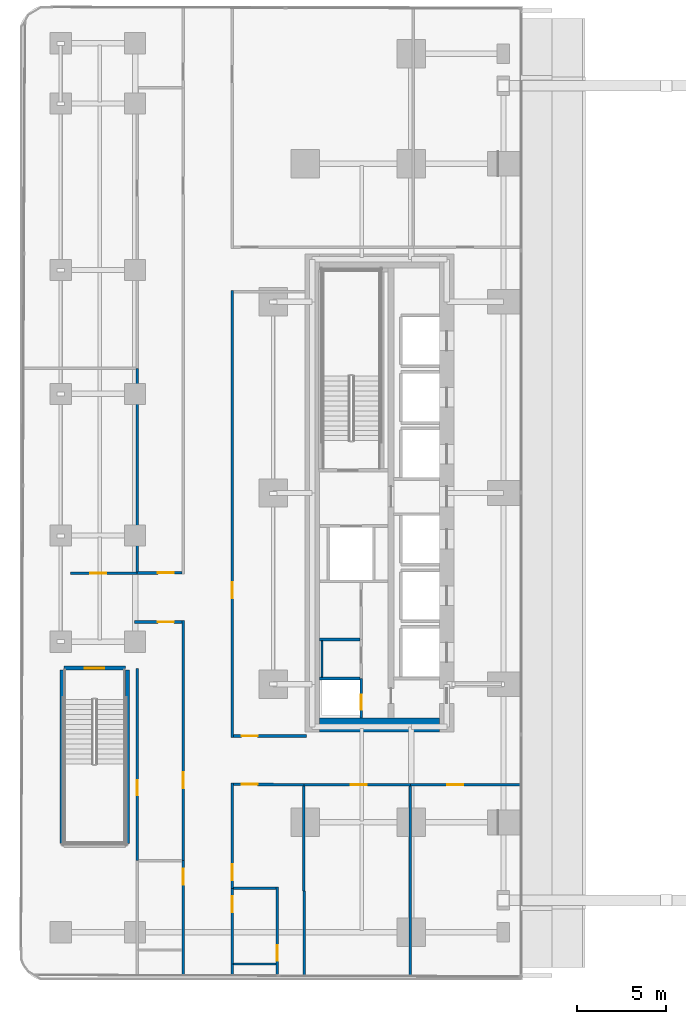
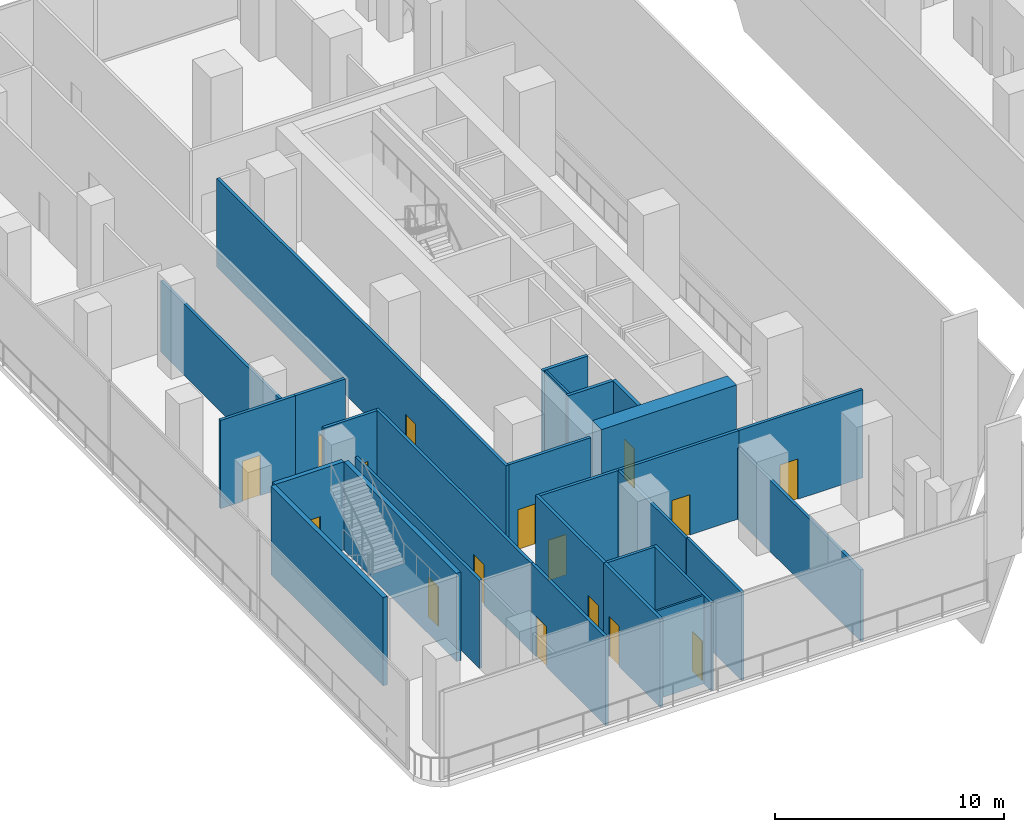
# One storey, part 6 of 31: 28 walls, 16 doors, 16 openings.
"""IFC4 building model written with IfcOpenShell, lengths in metres."""

import ifcopenshell
import ifcopenshell.guid

model = None  # the IFC model being written
_history = None  # IfcOwnerHistory: only IFC2X3 demands one
_inside = {}  # id of a spatial element -> (the spatial element, [elements in it])
_under = {}  # id of a project, library or spatial element -> (it, [spatial elements below it])
_declared = {}  # id of a project -> (the project, [libraries it declares])
_typed = {}  # id of a type object -> (the type object, [elements of that type])
_made_of = {}  # id of a material, layer set ... -> (it, [elements and type objects made of it])


def new_model(schema):
    """Start an empty IFC model of exactly this schema.

    Asked for "IFC4X3", IfcOpenShell would pick the latest addendum, in which some entities
    have other attributes; the version numbers below select the first issue.
    IFC2X3 requires an IfcOwnerHistory on every rooted entity: one is made here for all.
    """
    global model, _history
    if schema == "IFC4X3":
        model = ifcopenshell.file(schema_version=(4, 3, 0, 0))
    else:
        model = ifcopenshell.file(schema=schema)
    _inside.clear()
    _under.clear()
    _declared.clear()
    _typed.clear()
    _made_of.clear()
    _history = None
    if model.schema == "IFC2X3":
        org = make("IfcOrganization", Name="unknown")
        user = make(
            "IfcPersonAndOrganization",
            ThePerson=make("IfcPerson", FamilyName="unknown"),
            TheOrganization=org,
        )
        app = make(
            "IfcApplication",
            ApplicationDeveloper=org,
            Version="unknown",
            ApplicationFullName="unknown",
            ApplicationIdentifier="unknown",
        )
        _history = make(
            "IfcOwnerHistory",
            OwningUser=user,
            OwningApplication=app,
            ChangeAction="ADDED",
            CreationDate=0,
        )
    return model


def make(cls, **values):
    """One entity of the class cls with the attributes given. An attribute that is None is left unset."""
    return model.create_entity(
        cls, **{name: value for name, value in values.items() if value is not None}
    )


def rooted(cls, **values):
    """An entity with a GlobalId (a new one), such as an element, a storey or a relation."""
    return make(cls, GlobalId=ifcopenshell.guid.new(), OwnerHistory=_history, **values)


def si_unit(unit_type, name, prefix=None):
    """IfcSIUnit, for example si_unit("LENGTHUNIT", "METRE", prefix="MILLI")."""
    return make("IfcSIUnit", UnitType=unit_type, Prefix=prefix, Name=name)


def assignment(units):
    """IfcUnitAssignment: the units of a project."""
    return None if units is None else make("IfcUnitAssignment", Units=units)


def point(xyz):
    """IfcCartesianPoint."""
    return None if xyz is None else make("IfcCartesianPoint", Coordinates=xyz)


def direction(xyz):
    """IfcDirection."""
    return None if xyz is None else make("IfcDirection", DirectionRatios=xyz)


def frame(location, z_axis=None, x_axis=None):
    """IfcAxis2Placement3D, a coordinate frame: its origin and axes. An axis left out is left unset."""
    return make(
        "IfcAxis2Placement3D",
        Location=point(location),
        Axis=direction(z_axis),
        RefDirection=direction(x_axis),
    )


def frame_2d(location, x_axis=None):
    """IfcAxis2Placement2D, a coordinate frame in the plane: its origin and x axis."""
    return make(
        "IfcAxis2Placement2D", Location=point(location), RefDirection=direction(x_axis)
    )


def origin():
    """The frame at (0, 0, 0) with its axes left unset."""
    return frame((0.0, 0.0, 0.0))


def place(relative_to, where):
    """IfcLocalPlacement: puts the frame where relative to a parent placement (None: the world)."""
    return make(
        "IfcLocalPlacement", PlacementRelTo=relative_to, RelativePlacement=where
    )


def context(
    kind, dimensions, precision=None, world=None, true_north=None, identifier=None
):
    """IfcGeometricRepresentationContext, for example the 3D "Model" context."""
    return make(
        "IfcGeometricRepresentationContext",
        ContextIdentifier=identifier,
        ContextType=kind,
        CoordinateSpaceDimension=dimensions,
        Precision=precision,
        WorldCoordinateSystem=world,
        TrueNorth=true_north,
    )


def subcontext(parent, identifier, kind, view, scale=None):
    """IfcGeometricRepresentationSubContext, for example "Body" below "Model"."""
    return make(
        "IfcGeometricRepresentationSubContext",
        ContextIdentifier=identifier,
        ContextType=kind,
        ParentContext=parent,
        TargetScale=scale,
        TargetView=view,
    )


def project(units=None, contexts=None):
    """IfcProject with its units and contexts."""
    return rooted(
        "IfcProject",
        Name="project",
        RepresentationContexts=contexts,
        UnitsInContext=assignment(units),
    )


def spatial(cls, under=None, at=None, **own):
    """A site, building, storey or space (cls), placed at a placement, below another one or the project."""
    s = rooted(cls, ObjectPlacement=at, **own)
    if under is not None:
        _under.setdefault(under.id(), (under, []))[1].append(s)
    return s


def profile(cls, at=None, kind="AREA", **sizes):
    """A parametric profile (cls). Its sizes go by their IFC names, for example OverallWidth=200.0."""
    return make(cls, ProfileType=kind, Position=at, **sizes)


def rectangle(**sizes):
    """IfcRectangleProfileDef."""
    return profile("IfcRectangleProfileDef", **sizes)


def extrude(swept, where, along, depth):
    """IfcExtrudedAreaSolid: the profile swept, set in the frame where, extruded along a direction by depth."""
    return make(
        "IfcExtrudedAreaSolid",
        SweptArea=swept,
        Position=where,
        ExtrudedDirection=direction(along),
        Depth=depth,
    )


def shape(context_of_items, identifier, shape_type, items):
    """IfcShapeRepresentation: the items that make up one representation, for example the "Body"."""
    return make(
        "IfcShapeRepresentation",
        ContextOfItems=context_of_items,
        RepresentationIdentifier=identifier,
        RepresentationType=shape_type,
        Items=items,
    )


def material(Name=None, Category=None):
    """IfcMaterial."""
    return make("IfcMaterial", Name=Name, Category=Category)


def layer(
    of_material, thickness, ventilated=None, Name=None, Category=None, Priority=None
):
    """IfcMaterialLayer: one layer of a wall or slab, of a material (None: an air gap)."""
    return make(
        "IfcMaterialLayer",
        Material=of_material,
        LayerThickness=thickness,
        IsVentilated=ventilated,
        Name=Name,
        Category=Category,
        Priority=Priority,
    )


def layer_set(layers, Name=None):
    """IfcMaterialLayerSet."""
    return make("IfcMaterialLayerSet", MaterialLayers=layers, LayerSetName=Name)


def made_of(thing, what):
    """Note that an element or type object is made of a material, layer set ...; save() writes the relation."""
    if what is not None:
        _made_of.setdefault(what.id(), (what, []))[1].append(thing)
    return thing


def type_object(cls, material=None, **own):
    """A type object (cls), such as IfcWallType, which elements share."""
    return made_of(rooted(cls, **own), material)


def element(
    cls,
    number,
    at=None,
    inside=None,
    cuts=None,
    type_object=None,
    material=None,
    context=None,
    identifier="Body",
    shape_type=None,
    held_by="IfcProductDefinitionShape",
    body=None,
    shapes=None,
    **own,
):
    """One element of the class cls, such as IfcWall. Its Tag is "e" and its number.

    at: its placement. inside: the storey or other place that contains it. cuts: it is an
    opening in that element (IfcRelVoidsElement). A single representation is given by context,
    identifier, shape_type and body (its items); several are given by shapes. held_by: the class
    of the entity that holds the representations. save() writes the other relations.
    """
    e = rooted(cls, Tag="e%d" % number, ObjectPlacement=at, **own)
    if body is not None:
        shapes = [shape(context, identifier, shape_type, body)]
    if shapes is not None:
        e.Representation = make(held_by, Representations=shapes)
    if inside is not None:
        _inside.setdefault(inside.id(), (inside, []))[1].append(e)
    if cuts is not None:
        rooted(
            "IfcRelVoidsElement", RelatingBuildingElement=cuts, RelatedOpeningElement=e
        )
    if type_object is not None:
        _typed.setdefault(type_object.id(), (type_object, []))[1].append(e)
    return made_of(e, material)


def fill(opening, filler):
    """IfcRelFillsElement: the door or window that sits in an opening."""
    return rooted(
        "IfcRelFillsElement",
        RelatingOpeningElement=opening,
        RelatedBuildingElement=filler,
    )


def aggregate(whole, parts):
    """IfcRelAggregates: a whole, such as a stair, and the parts it consists of."""
    return rooted("IfcRelAggregates", RelatingObject=whole, RelatedObjects=parts)


def save(model, path):
    """Write the relations noted so far, then the file.

    IfcRelAggregates (storeys below a building ...), IfcRelContainedInSpatialStructure (elements
    in a storey), IfcRelDefinesByType, IfcRelAssociatesMaterial and IfcRelDeclares: one each for
    every whole, place, type object, material and project.
    """
    for whole, parts in _under.values():
        aggregate(whole, parts)
    for where, things in _inside.values():
        rooted(
            "IfcRelContainedInSpatialStructure",
            RelatedElements=things,
            RelatingStructure=where,
        )
    for kind, things in _typed.values():
        rooted("IfcRelDefinesByType", RelatedObjects=things, RelatingType=kind)
    for what, things in _made_of.values():
        rooted("IfcRelAssociatesMaterial", RelatedObjects=things, RelatingMaterial=what)
    for by, libraries in _declared.values():
        rooted("IfcRelDeclares", RelatingContext=by, RelatedDefinitions=libraries)
    model.write(path)


model = new_model("IFC4")

# Units and contexts
model_context = context("Model", 3, precision=1e-05, world=origin(), true_north=direction((0.0, 1.0)))
body_context = subcontext(model_context, "Body", "Model", "MODEL_VIEW")
ifc_project = project(units=[si_unit("LENGTHUNIT", "METRE"), si_unit("AREAUNIT", "SQUARE_METRE"), si_unit("VOLUMEUNIT", "CUBIC_METRE"), si_unit("PLANEANGLEUNIT", "RADIAN"), si_unit("MASSUNIT", "GRAM", prefix="KILO")], contexts=[model_context])

# Site, building, storey
site_placement = place(None, origin())
site = spatial("IfcSite", under=ifc_project, at=site_placement, CompositionType="ELEMENT")
building_placement = place(site_placement, origin())
building = spatial("IfcBuilding", under=site, at=building_placement, Name="Khairoan Windgate Tower", CompositionType="ELEMENT")
storey_placement = place(building_placement, frame((0.0, 0.0, 6.0)))
storey = spatial("IfcBuildingStorey", under=building, at=storey_placement, Name="L02", CompositionType="ELEMENT", Elevation=6.0)

# Walls
ifc_material_1 = material(Name="Moisture-Resistant Gypsum Partition", Category="gypsum")
ifc_layer_1 = layer(ifc_material_1, 0.10009765625, Name="Moisture-Resistant Gypsum Partition")
ifc_layer_set_1 = layer_set([ifc_layer_1], Name="Moisture-Resistant Gypsum Partition")
wall_type_1 = type_object("IfcWallType", Name="Bathroom Wet-Area Partition Wall", PredefinedType="PARTITIONING", material=ifc_layer_set_1)
wall_1_placement = place(storey_placement, frame((-19.449951171875, -10.389892578125, 0.0), z_axis=(0.0, 0.0, 1.0), x_axis=(0.0, 1.0, 0.0)))
element("IfcWall", 1, at=wall_1_placement, inside=storey, type_object=wall_type_1, Name="L02 Wet Room Side Wall 079", PredefinedType="PARTITIONING", context=body_context, shape_type="SweptSolid", body=[
    extrude(rectangle(XDim=2.039794921875, YDim=0.10009765625, at=frame_2d((1.02001953125, 0.0))), origin(), (0.0, 0.0, 1.0), 4.699951171875),
])
wall_2_placement = place(storey_placement, frame((-22.050048828125, -26.60009765625, 0.0), z_axis=(0.0, 0.0, 1.0), x_axis=(-1.0, 0.0, 0.0)))
element("IfcWall", 2, at=wall_2_placement, inside=storey, type_object=wall_type_1, Name="L02 Wet Room Side Wall 082", PredefinedType="PARTITIONING", context=body_context, shape_type="SweptSolid", body=[
    extrude(rectangle(XDim=2.39501953125, YDim=0.10009765625, at=frame_2d((1.197509765625, 0.0))), origin(), (0.0, 0.0, 1.0), 4.699951171875),
])
ifc_material_2 = material(Name="Acoustic Fire-Rated Gypsum Partition", Category="gypsum")
ifc_layer_2 = layer(ifc_material_2, 0.139892578125, Name="Acoustic Fire-Rated Gypsum Partition")
ifc_layer_set_2 = layer_set([ifc_layer_2], Name="Acoustic Fire-Rated Gypsum Partition")
wall_type_2 = type_object("IfcWallType", Name="Inter-Tenancy Compartment Wall", PredefinedType="PARTITIONING", material=ifc_layer_set_2)
wall_3_placement = place(storey_placement, frame((-29.8798828125, -4.445068359375, 0.0), z_axis=(0.0, 0.0, 1.0), x_axis=(0.0, 1.0, 0.0)))
element("IfcWall", 3, at=wall_3_placement, inside=storey, type_object=wall_type_2, Name="L02 Interior Partition 032", PredefinedType="PARTITIONING", context=body_context, shape_type="SweptSolid", body=[
    extrude(rectangle(XDim=11.485107421875, YDim=0.139892578125, at=frame_2d((5.74267578125, 0.0))), origin(), (0.0, 0.0, 1.0), 3.800048828125),
])

# Wall, opening, door
wall_4_placement = place(storey_placement, frame((-21.97998046875, -27.265869140625, 0.0), z_axis=(0.0, 0.0, 1.0), x_axis=(0.0, 1.0, 0.0)))
wall_4 = element("IfcWall", 4, at=wall_4_placement, inside=storey, type_object=wall_type_2, Name="L02 Interior Partition 037", PredefinedType="PARTITIONING", context=body_context, shape_type="SweptSolid", body=[
    extrude(rectangle(XDim=5.015869140625, YDim=0.139892578125, at=frame_2d((2.5078125, 0.0))), origin(), (0.0, 0.0, 1.0), 4.699951171875),
])
opening_1_placement = place(wall_4_placement, frame((0.86572265625, 0.0, 0.0)))
opening_1 = element("IfcOpeningElement", 5, at=opening_1_placement, cuts=wall_4, Name="Opening FD-SRV", PredefinedType="OPENING", context=body_context, shape_type="SweptSolid", body=[
    extrude(rectangle(XDim=0.85009765625, YDim=2.10009765625, at=frame_2d((0.425048828125, 1.050048828125))), frame((0.0, 0.079833984375, 0.0), z_axis=(0.0, -1.0, 0.0), x_axis=(1.0, 0.0, 0.0)), (0.0, 0.0, 1.0), 0.159912109375),
])
ifc_material_3 = material(Name="Steel S355", Category="steel")
door_type_1 = type_object("IfcDoorType", Name="Core Service and Riser Fire Door FD-SRV 850x2100", OperationType="NOTDEFINED", PredefinedType="DOOR", material=ifc_material_3)
door_1_placement = place(opening_1_placement, origin())
door_1 = element("IfcDoor", 6, at=door_1_placement, inside=storey, type_object=door_type_1, Name="L02 L02-41-L02-62 Door", OperationType="SINGLE_SWING_RIGHT", OverallHeight=2.10009765625, OverallWidth=0.85009765625, PredefinedType="DOOR", context=body_context, shape_type="SweptSolid", body=[
    extrude(rectangle(XDim=0.85009765625, YDim=2.10009765625, at=frame_2d((0.425048828125, 1.050048828125))), frame((0.0, 0.02490234375, 0.0), z_axis=(0.0, -1.0, 0.0), x_axis=(1.0, 0.0, 0.0)), (0.0, 0.0, 1.0), 0.050048828125),
])
fill(opening_1, door_1)

# Wall
wall_5_placement = place(storey_placement, frame((-24.445068359375, -22.320068359375, 0.0), z_axis=(0.0, 0.0, 1.0), x_axis=(1.0, 0.0, 0.0)))
element("IfcWall", 7, at=wall_5_placement, inside=storey, type_object=wall_type_2, Name="L02 Interior Partition 038", PredefinedType="PARTITIONING", context=body_context, shape_type="SweptSolid", body=[
    extrude(rectangle(XDim=2.39501953125, YDim=0.139892578125, at=frame_2d((1.197509765625, 0.0))), origin(), (0.0, 0.0, 1.0), 4.699951171875),
])

# Wall, opening, door
wall_6_placement = place(storey_placement, frame((-29.8798828125, -20.760009765625, 0.0), z_axis=(0.0, 0.0, 1.0), x_axis=(0.0, 1.0, 0.0)))
wall_6 = element("IfcWall", 8, at=wall_6_placement, inside=storey, type_object=wall_type_2, Name="L02 Interior Partition 071", PredefinedType="PARTITIONING", context=body_context, shape_type="SweptSolid", body=[
    extrude(rectangle(XDim=10.840087890625, YDim=0.139892578125, at=frame_2d((5.419921875, 0.0))), origin(), (0.0, 0.0, 1.0), 4.699951171875),
])
opening_2_placement = place(wall_6_placement, frame((3.684814453125, 0.0, 0.0)))
opening_2 = element("IfcOpeningElement", 9, at=opening_2_placement, cuts=wall_6, Name="Opening FD-SRV", PredefinedType="OPENING", context=body_context, shape_type="SweptSolid", body=[
    extrude(rectangle(XDim=0.85009765625, YDim=2.10009765625, at=frame_2d((0.425048828125, 1.050048828125))), frame((0.0, 0.079833984375, 0.0), z_axis=(0.0, -1.0, 0.0), x_axis=(1.0, 0.0, 0.0)), (0.0, 0.0, 1.0), 0.159912109375),
])
door_2_placement = place(opening_2_placement, origin())
door_2 = element("IfcDoor", 10, at=door_2_placement, inside=storey, type_object=door_type_1, Name="L02 L02-57-L02-61 Door", OperationType="SINGLE_SWING_LEFT", OverallHeight=2.10009765625, OverallWidth=0.85009765625, PredefinedType="DOOR", context=body_context, shape_type="SweptSolid", body=[
    extrude(rectangle(XDim=0.85009765625, YDim=2.10009765625, at=frame_2d((0.425048828125, 1.050048828125))), frame((0.0, 0.02490234375, 0.0), z_axis=(0.0, -1.0, 0.0), x_axis=(1.0, 0.0, 0.0)), (0.0, 0.0, 1.0), 0.050048828125),
])
fill(opening_2, door_2)

# Walls
wall_7_placement = place(storey_placement, frame((-14.449951171875, -27.28955078125, 0.0), z_axis=(0.0, 0.0, 1.0), x_axis=(0.0, 1.0, 0.0)))
element("IfcWall", 11, at=wall_7_placement, inside=storey, type_object=wall_type_2, Name="L02 Interior Partition 073", PredefinedType="PARTITIONING", context=body_context, shape_type="SweptSolid", body=[
    extrude(rectangle(XDim=10.734619140625, YDim=0.139892578125, at=frame_2d((5.3671875, 0.0))), origin(), (0.0, 0.0, 1.0), 3.800048828125),
])
wall_8_placement = place(storey_placement, frame((-20.43994140625, -27.270751953125, 0.0), z_axis=(0.0, 0.0, 1.0), x_axis=(0.0, 1.0, 0.0)))
element("IfcWall", 12, at=wall_8_placement, inside=storey, type_object=wall_type_2, Name="L02 Interior Partition 074", PredefinedType="PARTITIONING", context=body_context, shape_type="SweptSolid", body=[
    extrude(rectangle(XDim=4.790771484375, YDim=0.139892578125, at=frame_2d((2.3955078125, 0.0))), origin(), (0.0, 0.0, 1.0), 4.699951171875),
])
wall_9_placement = place(storey_placement, frame((-20.47509765625, -22.47998046875, 0.0), z_axis=(0.0, 0.0, 1.0), x_axis=(0.0, 1.0, 0.0)))
element("IfcWall", 13, at=wall_9_placement, inside=storey, type_object=wall_type_2, Name="L02 Interior Partition 075", PredefinedType="PARTITIONING", context=body_context, shape_type="SweptSolid", body=[
    extrude(rectangle(XDim=5.925048828125, YDim=0.139892578125, at=frame_2d((2.96240234375, 0.0))), origin(), (0.0, 0.0, 1.0), 4.699951171875),
])

# Wall, opening, door
ifc_material_4 = material(Name="Concrete C40/50", Category="concrete")
ifc_layer_3 = layer(ifc_material_4, 0.159912109375, Name="Concrete C40/50")
ifc_layer_set_3 = layer_set([ifc_layer_3], Name="Concrete C40/50")
wall_type_3 = type_object("IfcWallType", Name="Plant and Refuge Compartment Wall", PredefinedType="PARTITIONING", material=ifc_layer_set_3)
wall_10_placement = place(storey_placement, frame((-17.22998046875, -12.699951171875, 0.0), z_axis=(0.0, 0.0, 1.0), x_axis=(0.0, 1.0, 0.0)))
wall_10 = element("IfcWall", 14, at=wall_10_placement, inside=storey, type_object=wall_type_3, Name="L02 Interior Partition 001", PredefinedType="PARTITIONING", context=body_context, shape_type="SweptSolid", body=[
    extrude(rectangle(XDim=2.22998046875, YDim=0.159912109375, at=frame_2d((1.114990234375, 0.0))), origin(), (0.0, 0.0, 1.0), 4.699951171875),
])
opening_3_placement = place(wall_10_placement, frame((0.4599609375, 0.0, 0.0)))
opening_3 = element("IfcOpeningElement", 15, at=opening_3_placement, cuts=wall_10, Name="Opening FD-SRV", PredefinedType="OPENING", context=body_context, shape_type="SweptSolid", body=[
    extrude(rectangle(XDim=0.85009765625, YDim=2.10009765625, at=frame_2d((0.425048828125, 1.050048828125))), frame((0.0, 0.08984375, 0.0), z_axis=(0.0, -1.0, 0.0), x_axis=(1.0, 0.0, 0.0)), (0.0, 0.0, 1.0), 0.179931640625),
])
door_3_placement = place(opening_3_placement, origin())
door_3 = element("IfcDoor", 16, at=door_3_placement, inside=storey, type_object=door_type_1, Name="L02 L02-04-L02-05 Door", OperationType="SINGLE_SWING_RIGHT", OverallHeight=2.10009765625, OverallWidth=0.85009765625, PredefinedType="DOOR", context=body_context, shape_type="SweptSolid", body=[
    extrude(rectangle(XDim=0.85009765625, YDim=2.10009765625, at=frame_2d((0.425048828125, 1.050048828125))), frame((0.0, 0.02490234375, 0.0), z_axis=(0.0, -1.0, 0.0), x_axis=(1.0, 0.0, 0.0)), (0.0, 0.0, 1.0), 0.050048828125),
])
fill(opening_3, door_3)

# Walls
for number, where, z_axis, x_axis, name in (
    (17, (-19.60009765625, -10.469970703125, 0.0), (0.0, 0.0, 1.0), (1.0, 0.0, 0.0), "L02 Interior Partition 004"),
    (18, (-19.60009765625, -8.27001953125, 0.0), (0.0, 0.0, 1.0), (1.0, 0.0, 0.0), "L02 Interior Partition 005"),
):
    element("IfcWall", number, at=place(storey_placement, frame(where, z_axis=z_axis, x_axis=x_axis)), inside=storey, type_object=wall_type_3, Name=name, PredefinedType="PARTITIONING", context=body_context, shape_type="SweptSolid", body=[
        extrude(rectangle(XDim=2.2900390625, YDim=0.159912109375, at=frame_2d((1.14501953125, 0.0))), origin(), (0.0, 0.0, 1.0), 4.699951171875),
    ])

# Wall, opening, door
ifc_material_5 = material(Name="Acoustic Fire-Rated Gypsum Partition", Category="gypsum")
ifc_layer_4 = layer(ifc_material_5, 0.14990234375, Name="Acoustic Fire-Rated Gypsum Partition")
ifc_layer_set_4 = layer_set([ifc_layer_4], Name="Acoustic Fire-Rated Gypsum Partition")
wall_type_4 = type_object("IfcWallType", Name="Rated Corridor Partition Wall", PredefinedType="PARTITIONING", material=ifc_layer_set_4)
wall_11_placement = place(storey_placement, frame((-27.280029296875, -27.2490234375, 0.0), z_axis=(0.0, 0.0, 1.0), x_axis=(0.0, 1.0, 0.0)))
wall_11 = element("IfcWall", 19, at=wall_11_placement, inside=storey, type_object=wall_type_4, Name="L02 Interior Partition 014", PredefinedType="PARTITIONING", context=body_context, shape_type="SweptSolid", body=[
    extrude(rectangle(XDim=6.489013671875, YDim=0.14990234375, at=frame_2d((3.24462890625, 0.0))), origin(), (0.0, 0.0, 1.0), 4.699951171875),
])
opening_4_placement = place(wall_11_placement, frame((5.129150390625, 0.0, 0.0)))
opening_4 = element("IfcOpeningElement", 20, at=opening_4_placement, cuts=wall_11, Name="Opening FD-ENT", PredefinedType="OPENING", context=body_context, shape_type="SweptSolid", body=[
    extrude(rectangle(XDim=0.89990234375, YDim=2.14990234375, at=frame_2d((0.449951171875, 1.074951171875))), frame((0.0, 0.0849609375, 0.0), z_axis=(0.0, -1.0, 0.0), x_axis=(1.0, 0.0, 0.0)), (0.0, 0.0, 1.0), 0.169921875),
])
ifc_material_6 = material(Name="Timber Fire-Rated Core", Category="wood")
door_type_2 = type_object("IfcDoorType", Name="Unit and Office Fire Entrance Door FD-ENT 900x2150", OperationType="NOTDEFINED", PredefinedType="DOOR", material=ifc_material_6)
door_4_placement = place(opening_4_placement, origin())
door_4 = element("IfcDoor", 21, at=door_4_placement, inside=storey, type_object=door_type_2, Name="L02 L02-32-L02-40 Door", OperationType="SINGLE_SWING_LEFT", OverallHeight=2.14990234375, OverallWidth=0.89990234375, PredefinedType="DOOR", context=body_context, shape_type="SweptSolid", body=[
    extrude(rectangle(XDim=0.89990234375, YDim=2.14990234375, at=frame_2d((0.449951171875, 1.074951171875))), frame((0.0, 0.02490234375, 0.0), z_axis=(0.0, -1.0, 0.0), x_axis=(1.0, 0.0, 0.0)), (0.0, 0.0, 1.0), 0.050048828125),
])
fill(opening_4, door_4)

wall_12_placement = place(storey_placement, frame((-24.52001953125, -27.2578125, 0.0), z_axis=(0.0, 0.0, 1.0), x_axis=(0.0, 1.0, 0.0)))
wall_12 = element("IfcWall", 22, at=wall_12_placement, inside=storey, type_object=wall_type_4, Name="L02 Interior Partition 015", PredefinedType="PARTITIONING", context=body_context, shape_type="SweptSolid", body=[
    extrude(rectangle(XDim=4.937744140625, YDim=0.14990234375, at=frame_2d((2.46875, 0.0))), origin(), (0.0, 0.0, 1.0), 4.699951171875),
])
opening_5_placement = place(wall_12_placement, frame((3.577880859375, 0.0, 0.0)))
opening_5 = element("IfcOpeningElement", 23, at=opening_5_placement, cuts=wall_12, Name="Opening FD-ENT", PredefinedType="OPENING", context=body_context, shape_type="SweptSolid", body=[
    extrude(rectangle(XDim=0.89990234375, YDim=2.14990234375, at=frame_2d((0.449951171875, 1.074951171875))), frame((0.0, 0.0849609375, 0.0), z_axis=(0.0, -1.0, 0.0), x_axis=(1.0, 0.0, 0.0)), (0.0, 0.0, 1.0), 0.169921875),
])
door_5_placement = place(opening_5_placement, origin())
door_5 = element("IfcDoor", 24, at=door_5_placement, inside=storey, type_object=door_type_2, Name="L02 L02-32-L02-41 Door", OperationType="SINGLE_SWING_RIGHT", OverallHeight=2.14990234375, OverallWidth=0.89990234375, PredefinedType="DOOR", context=body_context, shape_type="SweptSolid", body=[
    extrude(rectangle(XDim=0.89990234375, YDim=2.14990234375, at=frame_2d((0.449951171875, 1.074951171875))), frame((0.0, 0.02490234375, 0.0), z_axis=(0.0, -1.0, 0.0), x_axis=(1.0, 0.0, 0.0)), (0.0, 0.0, 1.0), 0.050048828125),
])
fill(opening_5, door_5)

wall_13_placement = place(storey_placement, frame((-24.52001953125, -13.794921875, 0.0), z_axis=(0.0, 0.0, 1.0), x_axis=(0.0, 1.0, 0.0)))
wall_13 = element("IfcWall", 25, at=wall_13_placement, inside=storey, type_object=wall_type_4, Name="L02 Interior Partition 016", PredefinedType="PARTITIONING", context=body_context, shape_type="SweptSolid", body=[
    extrude(rectangle(XDim=25.22998046875, YDim=0.14990234375, at=frame_2d((12.614990234375, 0.0))), origin(), (0.0, 0.0, 1.0), 4.699951171875),
])
opening_6_placement = place(wall_13_placement, frame((7.86328125, 0.0, 0.0)))
opening_6 = element("IfcOpeningElement", 26, at=opening_6_placement, cuts=wall_13, Name="Opening FD-ENT", PredefinedType="OPENING", context=body_context, shape_type="SweptSolid", body=[
    extrude(rectangle(XDim=0.89990234375, YDim=2.14990234375, at=frame_2d((0.449951171875, 1.074951171875))), frame((0.0, 0.0849609375, 0.0), z_axis=(0.0, -1.0, 0.0), x_axis=(1.0, 0.0, 0.0)), (0.0, 0.0, 1.0), 0.169921875),
])
door_6_placement = place(opening_6_placement, origin())
door_6 = element("IfcDoor", 27, at=door_6_placement, inside=storey, type_object=door_type_2, Name="L02 L02-32-L02-56 Door", OperationType="SINGLE_SWING_LEFT", OverallHeight=2.14990234375, OverallWidth=0.89990234375, PredefinedType="DOOR", context=body_context, shape_type="SweptSolid", body=[
    extrude(rectangle(XDim=0.89990234375, YDim=2.14990234375, at=frame_2d((0.449951171875, 1.074951171875))), frame((0.0, 0.02490234375, 0.0), z_axis=(0.0, -1.0, 0.0), x_axis=(1.0, 0.0, 0.0)), (0.0, 0.0, 1.0), 0.050048828125),
])
fill(opening_6, door_6)

wall_14_placement = place(storey_placement, frame((-27.280029296875, -20.760009765625, 0.0), z_axis=(0.0, 0.0, 1.0), x_axis=(0.0, 1.0, 0.0)))
wall_14 = element("IfcWall", 28, at=wall_14_placement, inside=storey, type_object=wall_type_4, Name="L02 Interior Partition 017", PredefinedType="PARTITIONING", context=body_context, shape_type="SweptSolid", body=[
    extrude(rectangle(XDim=13.554931640625, YDim=0.14990234375, at=frame_2d((6.77734375, 0.0))), origin(), (0.0, 0.0, 1.0), 4.699951171875),
])
opening_7_placement = place(wall_14_placement, frame((4.101806640625, 0.0, 0.0)))
opening_7 = element("IfcOpeningElement", 29, at=opening_7_placement, cuts=wall_14, Name="Opening FD-ENT", PredefinedType="OPENING", context=body_context, shape_type="SweptSolid", body=[
    extrude(rectangle(XDim=0.89990234375, YDim=2.14990234375, at=frame_2d((0.449951171875, 1.074951171875))), frame((0.0, 0.0849609375, 0.0), z_axis=(0.0, -1.0, 0.0), x_axis=(1.0, 0.0, 0.0)), (0.0, 0.0, 1.0), 0.169921875),
])
door_7_placement = place(opening_7_placement, origin())
door_7 = element("IfcDoor", 30, at=door_7_placement, inside=storey, type_object=door_type_2, Name="L02 L02-32-L02-57 Door", OperationType="SINGLE_SWING_RIGHT", OverallHeight=2.14990234375, OverallWidth=0.89990234375, PredefinedType="DOOR", context=body_context, shape_type="SweptSolid", body=[
    extrude(rectangle(XDim=0.89990234375, YDim=2.14990234375, at=frame_2d((0.449951171875, 1.074951171875))), frame((0.0, 0.02490234375, 0.0), z_axis=(0.0, -1.0, 0.0), x_axis=(1.0, 0.0, 0.0)), (0.0, 0.0, 1.0), 0.050048828125),
])
fill(opening_7, door_7)

wall_15_placement = place(storey_placement, frame((-24.52001953125, -22.320068359375, 0.0), z_axis=(0.0, 0.0, 1.0), x_axis=(0.0, 1.0, 0.0)))
wall_15 = element("IfcWall", 31, at=wall_15_placement, inside=storey, type_object=wall_type_4, Name="L02 Interior Partition 019", PredefinedType="PARTITIONING", context=body_context, shape_type="SweptSolid", body=[
    extrude(rectangle(XDim=5.95361328125, YDim=0.14990234375, at=frame_2d((2.976806640625, 0.0))), origin(), (0.0, 0.0, 1.0), 4.699951171875),
])
opening_8_placement = place(wall_15_placement, frame((0.4599609375, 0.0, 0.0)))
opening_8 = element("IfcOpeningElement", 32, at=opening_8_placement, cuts=wall_15, Name="Opening FD-ENT", PredefinedType="OPENING", context=body_context, shape_type="SweptSolid", body=[
    extrude(rectangle(XDim=0.89990234375, YDim=2.14990234375, at=frame_2d((0.449951171875, 1.074951171875))), frame((0.0, 0.0849609375, 0.0), z_axis=(0.0, -1.0, 0.0), x_axis=(1.0, 0.0, 0.0)), (0.0, 0.0, 1.0), 0.169921875),
])
door_8_placement = place(opening_8_placement, origin())
door_8 = element("IfcDoor", 33, at=door_8_placement, inside=storey, type_object=door_type_2, Name="L02 L02-32-L02-67 Door", OperationType="SINGLE_SWING_RIGHT", OverallHeight=2.14990234375, OverallWidth=0.89990234375, PredefinedType="DOOR", context=body_context, shape_type="SweptSolid", body=[
    extrude(rectangle(XDim=0.89990234375, YDim=2.14990234375, at=frame_2d((0.449951171875, 1.074951171875))), frame((0.0, 0.02490234375, 0.0), z_axis=(0.0, -1.0, 0.0), x_axis=(1.0, 0.0, 0.0)), (0.0, 0.0, 1.0), 0.050048828125),
])
fill(opening_8, door_8)

wall_16_placement = place(storey_placement, frame((-24.445068359375, -13.719970703125, 0.0), z_axis=(0.0, 0.0, 1.0), x_axis=(1.0, 0.0, 0.0)))
wall_16 = element("IfcWall", 34, at=wall_16_placement, inside=storey, type_object=wall_type_4, Name="L02 Interior Partition 021", PredefinedType="PARTITIONING", context=body_context, shape_type="SweptSolid", body=[
    extrude(rectangle(XDim=4.135009765625, YDim=0.14990234375, at=frame_2d((2.0673828125, 0.0))), origin(), (0.0, 0.0, 1.0), 4.699951171875),
])
opening_9_placement = place(wall_16_placement, frame((0.4599609375, 0.0, 0.0)))
opening_9 = element("IfcOpeningElement", 35, at=opening_9_placement, cuts=wall_16, Name="Opening FD-ENT", PredefinedType="OPENING", context=body_context, shape_type="SweptSolid", body=[
    extrude(rectangle(XDim=0.89990234375, YDim=2.14990234375, at=frame_2d((0.449951171875, 1.074951171875))), frame((0.0, 0.0849609375, 0.0), z_axis=(0.0, -1.0, 0.0), x_axis=(1.0, 0.0, 0.0)), (0.0, 0.0, 1.0), 0.169921875),
])
door_9_placement = place(opening_9_placement, origin())
door_9 = element("IfcDoor", 36, at=door_9_placement, inside=storey, type_object=door_type_2, Name="L02 L02-33-L02-56 Door", OperationType="SINGLE_SWING_RIGHT", OverallHeight=2.14990234375, OverallWidth=0.89990234375, PredefinedType="DOOR", context=body_context, shape_type="SweptSolid", body=[
    extrude(rectangle(XDim=0.89990234375, YDim=2.14990234375, at=frame_2d((0.449951171875, 1.074951171875))), frame((0.0, 0.02490234375, 0.0), z_axis=(0.0, -1.0, 0.0), x_axis=(1.0, 0.0, 0.0)), (0.0, 0.0, 1.0), 0.050048828125),
])
fill(opening_9, door_9)

wall_17_placement = place(storey_placement, frame((-20.47509765625, -16.47998046875, 0.0), z_axis=(0.0, 0.0, 1.0), x_axis=(1.0, 0.0, 0.0)))
wall_17 = element("IfcWall", 37, at=wall_17_placement, inside=storey, type_object=wall_type_4, Name="L02 Interior Partition 022", PredefinedType="PARTITIONING", context=body_context, shape_type="SweptSolid", body=[
    extrude(rectangle(XDim=6.025146484375, YDim=0.14990234375, at=frame_2d((3.0126953125, 0.0))), origin(), (0.0, 0.0, 1.0), 4.699951171875),
])
opening_10_placement = place(wall_17_placement, frame((2.66259765625, 0.0, 0.0)))
opening_10 = element("IfcOpeningElement", 38, at=opening_10_placement, cuts=wall_17, Name="Opening FD-ENT", PredefinedType="OPENING", context=body_context, shape_type="SweptSolid", body=[
    extrude(rectangle(XDim=0.89990234375, YDim=2.14990234375, at=frame_2d((0.449951171875, 1.074951171875))), frame((0.0, 0.0849609375, 0.0), z_axis=(0.0, -1.0, 0.0), x_axis=(1.0, 0.0, 0.0)), (0.0, 0.0, 1.0), 0.169921875),
])
door_10_placement = place(opening_10_placement, origin())
door_10 = element("IfcDoor", 39, at=door_10_placement, inside=storey, type_object=door_type_2, Name="L02 L02-33-L02-59 Door", OperationType="SINGLE_SWING_LEFT", OverallHeight=2.14990234375, OverallWidth=0.89990234375, PredefinedType="DOOR", context=body_context, shape_type="SweptSolid", body=[
    extrude(rectangle(XDim=0.89990234375, YDim=2.14990234375, at=frame_2d((0.449951171875, 1.074951171875))), frame((0.0, 0.02490234375, 0.0), z_axis=(0.0, -1.0, 0.0), x_axis=(1.0, 0.0, 0.0)), (0.0, 0.0, 1.0), 0.050048828125),
])
fill(opening_10, door_10)

wall_18_placement = place(storey_placement, frame((-14.449951171875, -16.47998046875, 0.0), z_axis=(0.0, 0.0, 1.0), x_axis=(1.0, 0.0, 0.0)))
wall_18 = element("IfcWall", 40, at=wall_18_placement, inside=storey, type_object=wall_type_4, Name="L02 Interior Partition 023", PredefinedType="PARTITIONING", context=body_context, shape_type="SweptSolid", body=[
    extrude(rectangle(XDim=6.244873046875, YDim=0.14990234375, at=frame_2d((3.12255859375, 0.0))), origin(), (0.0, 0.0, 1.0), 4.699951171875),
])
opening_11_placement = place(wall_18_placement, frame((2.069091796875, 0.0, 0.0)))
opening_11 = element("IfcOpeningElement", 41, at=opening_11_placement, cuts=wall_18, Name="Opening FD-ENT", PredefinedType="OPENING", context=body_context, shape_type="SweptSolid", body=[
    extrude(rectangle(XDim=0.89990234375, YDim=2.14990234375, at=frame_2d((0.449951171875, 1.074951171875))), frame((0.0, 0.0849609375, 0.0), z_axis=(0.0, -1.0, 0.0), x_axis=(1.0, 0.0, 0.0)), (0.0, 0.0, 1.0), 0.169921875),
])
door_11_placement = place(opening_11_placement, origin())
door_11 = element("IfcDoor", 42, at=door_11_placement, inside=storey, type_object=door_type_2, Name="L02 L02-33-L02-60 Door", OperationType="SINGLE_SWING_RIGHT", OverallHeight=2.14990234375, OverallWidth=0.89990234375, PredefinedType="DOOR", context=body_context, shape_type="SweptSolid", body=[
    extrude(rectangle(XDim=0.89990234375, YDim=2.14990234375, at=frame_2d((0.449951171875, 1.074951171875))), frame((0.0, 0.02490234375, 0.0), z_axis=(0.0, -1.0, 0.0), x_axis=(1.0, 0.0, 0.0)), (0.0, 0.0, 1.0), 0.050048828125),
])
fill(opening_11, door_11)

wall_19_placement = place(storey_placement, frame((-24.445068359375, -16.442138671875, 0.0), z_axis=(0.0, 0.0, 1.0), x_axis=(0.999954573497, -0.009531576096, 0.0)))
wall_19 = element("IfcWall", 43, at=wall_19_placement, inside=storey, type_object=wall_type_4, Name="L02 Interior Partition 024", PredefinedType="PARTITIONING", context=body_context, shape_type="SweptSolid", body=[
    extrude(rectangle(XDim=3.97021484375, YDim=0.14990234375, at=frame_2d((1.985107421875, 0.0))), origin(), (0.0, 0.0, 1.0), 4.699951171875),
])
opening_12_placement = place(wall_19_placement, frame((0.4599609375, 0.0, 0.0)))
opening_12 = element("IfcOpeningElement", 44, at=opening_12_placement, cuts=wall_19, Name="Opening FD-ENT", PredefinedType="OPENING", context=body_context, shape_type="SweptSolid", body=[
    extrude(rectangle(XDim=0.89990234375, YDim=2.14990234375, at=frame_2d((0.449951171875, 1.074951171875))), frame((0.0, 0.0849609375, 0.0), z_axis=(0.0, -1.0, 0.0), x_axis=(1.0, 0.0, 0.0)), (0.0, 0.0, 1.0), 0.169921875),
])
door_12_placement = place(opening_12_placement, origin())
door_12 = element("IfcDoor", 45, at=door_12_placement, inside=storey, type_object=door_type_2, Name="L02 L02-33-L02-67 Door", OperationType="SINGLE_SWING_LEFT", OverallHeight=2.14990234375, OverallWidth=0.89990234375, PredefinedType="DOOR", context=body_context, shape_type="SweptSolid", body=[
    extrude(rectangle(XDim=0.89990234375, YDim=2.14990234375, at=frame_2d((0.449951171875, 1.074951171875))), frame((0.0, 0.02490234375, 0.0), z_axis=(0.0, -1.0, 0.0), x_axis=(1.0, 0.0, 0.0)), (0.0, 0.0, 1.0), 0.050048828125),
])
fill(opening_12, door_12)

wall_20_placement = place(storey_placement, frame((-33.639892578125, -4.52001953125, 0.0), z_axis=(0.0, 0.0, 1.0), x_axis=(1.0, 0.0, 0.0)))
wall_20 = element("IfcWall", 46, at=wall_20_placement, inside=storey, type_object=wall_type_4, Name="L02 Interior Partition 028", PredefinedType="PARTITIONING", context=body_context, shape_type="SweptSolid", body=[
    extrude(rectangle(XDim=3.760009765625, YDim=0.14990234375, at=frame_2d((1.8798828125, 0.0))), origin(), (0.0, 0.0, 1.0), 4.699951171875),
])
opening_13_placement = place(wall_20_placement, frame((1.106689453125, 0.0, 0.0)))
opening_13 = element("IfcOpeningElement", 47, at=opening_13_placement, cuts=wall_20, Name="Opening FD-ENT", PredefinedType="OPENING", context=body_context, shape_type="SweptSolid", body=[
    extrude(rectangle(XDim=0.89990234375, YDim=2.14990234375, at=frame_2d((0.449951171875, 1.074951171875))), frame((0.0, 0.0849609375, 0.0), z_axis=(0.0, -1.0, 0.0), x_axis=(1.0, 0.0, 0.0)), (0.0, 0.0, 1.0), 0.169921875),
])
door_13_placement = place(opening_13_placement, origin())
door_13 = element("IfcDoor", 48, at=door_13_placement, inside=storey, type_object=door_type_2, Name="L02 L02-35-L02-37 Door", OperationType="SINGLE_SWING_LEFT", OverallHeight=2.14990234375, OverallWidth=0.89990234375, PredefinedType="DOOR", context=body_context, shape_type="SweptSolid", body=[
    extrude(rectangle(XDim=0.89990234375, YDim=2.14990234375, at=frame_2d((0.449951171875, 1.074951171875))), frame((0.0, 0.02490234375, 0.0), z_axis=(0.0, -1.0, 0.0), x_axis=(1.0, 0.0, 0.0)), (0.0, 0.0, 1.0), 0.050048828125),
])
fill(opening_13, door_13)

wall_21_placement = place(storey_placement, frame((-30.0400390625, -7.280029296875, 0.0), z_axis=(0.0, 0.0, 1.0), x_axis=(1.0, 0.0, 0.0)))
wall_21 = element("IfcWall", 49, at=wall_21_placement, inside=storey, type_object=wall_type_4, Name="L02 Interior Partition 029", PredefinedType="PARTITIONING", context=body_context, shape_type="SweptSolid", body=[
    extrude(rectangle(XDim=2.68505859375, YDim=0.14990234375, at=frame_2d((1.342529296875, 0.0))), origin(), (0.0, 0.0, 1.0), 4.699951171875),
])
opening_14_placement = place(wall_21_placement, frame((1.324951171875, 0.0, 0.0)))
opening_14 = element("IfcOpeningElement", 50, at=opening_14_placement, cuts=wall_21, Name="Opening FD-ENT", PredefinedType="OPENING", context=body_context, shape_type="SweptSolid", body=[
    extrude(rectangle(XDim=0.89990234375, YDim=2.14990234375, at=frame_2d((0.449951171875, 1.074951171875))), frame((0.0, 0.0849609375, 0.0), z_axis=(0.0, -1.0, 0.0), x_axis=(1.0, 0.0, 0.0)), (0.0, 0.0, 1.0), 0.169921875),
])
door_14_placement = place(opening_14_placement, origin())
door_14 = element("IfcDoor", 51, at=door_14_placement, inside=storey, type_object=door_type_2, Name="L02 L02-35-L02-57 Door", OperationType="SINGLE_SWING_RIGHT", OverallHeight=2.14990234375, OverallWidth=0.89990234375, PredefinedType="DOOR", context=body_context, shape_type="SweptSolid", body=[
    extrude(rectangle(XDim=0.89990234375, YDim=2.14990234375, at=frame_2d((0.449951171875, 1.074951171875))), frame((0.0, 0.02490234375, 0.0), z_axis=(0.0, -1.0, 0.0), x_axis=(1.0, 0.0, 0.0)), (0.0, 0.0, 1.0), 0.050048828125),
])
fill(opening_14, door_14)

wall_22_placement = place(storey_placement, frame((-29.8798828125, -4.52001953125, 0.0), z_axis=(0.0, 0.0, 1.0), x_axis=(0.999973705414, 0.007251791521, 0.0)))
wall_22 = element("IfcWall", 52, at=wall_22_placement, inside=storey, type_object=wall_type_4, Name="L02 Interior Partition 030", PredefinedType="PARTITIONING", context=body_context, shape_type="SweptSolid", body=[
    extrude(rectangle(XDim=2.52490234375, YDim=0.14990234375, at=frame_2d((1.262451171875, 0.0))), origin(), (0.0, 0.0, 1.0), 4.699951171875),
])
opening_15_placement = place(wall_22_placement, frame((1.1650390625, 0.0, 0.0)))
opening_15 = element("IfcOpeningElement", 53, at=opening_15_placement, cuts=wall_22, Name="Opening FD-ENT", PredefinedType="OPENING", context=body_context, shape_type="SweptSolid", body=[
    extrude(rectangle(XDim=0.89990234375, YDim=2.14990234375, at=frame_2d((0.449951171875, 1.074951171875))), frame((0.0, 0.0849609375, 0.0), z_axis=(0.0, -1.0, 0.0), x_axis=(1.0, 0.0, 0.0)), (0.0, 0.0, 1.0), 0.169921875),
])
door_15_placement = place(opening_15_placement, origin())
door_15 = element("IfcDoor", 54, at=door_15_placement, inside=storey, type_object=door_type_2, Name="L02 L02-35-L02-58 Door", OperationType="SINGLE_SWING_LEFT", OverallHeight=2.14990234375, OverallWidth=0.89990234375, PredefinedType="DOOR", context=body_context, shape_type="SweptSolid", body=[
    extrude(rectangle(XDim=0.89990234375, YDim=2.14990234375, at=frame_2d((0.449951171875, 1.074951171875))), frame((0.0, 0.02490234375, 0.0), z_axis=(0.0, -1.0, 0.0), x_axis=(1.0, 0.0, 0.0)), (0.0, 0.0, 1.0), 0.050048828125),
])
fill(opening_15, door_15)

# Wall
ifc_material_7 = material(Name="Concrete C70/85", Category="concrete")
ifc_layer_5 = layer(ifc_material_7, 0.800048828125, Name="Concrete C70/85")
ifc_layer_set_5 = layer_set([ifc_layer_5], Name="Concrete C70/85")
wall_type_5 = type_object("IfcWallType", Name="Shear Wall CW-W1 800mm", PredefinedType="SHEAR", material=ifc_layer_set_5)
wall_23_placement = place(storey_placement, frame((-19.60009765625, -13.10009765625, 0.0), z_axis=(0.0, 0.0, 1.0), x_axis=(1.0, 0.0, 0.0)))
element("IfcWall", 55, at=wall_23_placement, inside=storey, type_object=wall_type_5, Name="W Core South Shear Wall L02", PredefinedType="SHEAR", context=body_context, shape_type="SweptSolid", body=[
    extrude(rectangle(XDim=6.800048828125, YDim=0.800048828125, at=frame_2d((3.39990234375, 0.0))), origin(), (0.0, 0.0, 1.0), 4.699951171875),
])

# Wall, opening, door
ifc_material_8 = material(Name="Concrete C50/60", Category="concrete")
ifc_layer_6 = layer(ifc_material_8, 0.219970703125, Name="Concrete C50/60")
ifc_layer_set_6 = layer_set([ifc_layer_6], Name="Concrete C50/60")
wall_type_6 = type_object("IfcWallType", Name="Shear Wall SW-ST 220mm", PredefinedType="SHEAR", material=ifc_layer_set_6)
wall_24_placement = place(storey_placement, frame((-30.550048828125, -9.889892578125, 0.0), z_axis=(0.0, 0.0, 1.0), x_axis=(-1.0, 0.0, 0.0)))
wall_24 = element("IfcWall", 56, at=wall_24_placement, inside=storey, type_object=wall_type_6, Name="L02 ST4 North Bearing Wall", PredefinedType="SHEAR", context=body_context, shape_type="SweptSolid", body=[
    extrude(rectangle(XDim=3.469970703125, YDim=0.219970703125, at=frame_2d((1.73486328125, 0.0))), origin(), (0.0, 0.0, 1.0), 4.699951171875),
])
opening_16_placement = place(wall_24_placement, frame((1.179931640625, 0.0, 0.0)))
opening_16 = element("IfcOpeningElement", 57, at=opening_16_placement, cuts=wall_24, Name="Opening FD-ST", PredefinedType="OPENING", context=body_context, shape_type="SweptSolid", body=[
    extrude(rectangle(XDim=1.10009765625, YDim=2.199951171875, at=frame_2d((0.550048828125, 1.10009765625))), frame((0.0, 0.119873046875, 0.0), z_axis=(0.0, -1.0, 0.0), x_axis=(1.0, 0.0, 0.0)), (0.0, 0.0, 1.0), 0.239990234375),
])
ifc_material_9 = material(Name="Steel S355", Category="steel")
door_type_3 = type_object("IfcDoorType", Name="Smokeproof Stair Fire Door FD-ST 1100x2200", OperationType="NOTDEFINED", PredefinedType="DOOR", material=ifc_material_9)
door_16_placement = place(opening_16_placement, origin())
door_16 = element("IfcDoor", 58, at=door_16_placement, inside=storey, type_object=door_type_3, Name="L02 Stair ST4 Fire Door", OperationType="SINGLE_SWING_RIGHT", OverallHeight=2.199951171875, OverallWidth=1.10009765625, PredefinedType="DOOR", context=body_context, shape_type="SweptSolid", body=[
    extrude(rectangle(XDim=1.10009765625, YDim=2.199951171875, at=frame_2d((0.550048828125, 1.10009765625))), frame((0.0, 0.02490234375, 0.0), z_axis=(0.0, -1.0, 0.0), x_axis=(1.0, 0.0, 0.0)), (0.0, 0.0, 1.0), 0.050048828125),
])
fill(opening_16, door_16)

# Walls
for number, where, z_axis, x_axis, name in (
    (59, (-34.1298828125, -19.800048828125, 0.0), (0.0, 0.0, 1.0), (0.0, 1.0, 0.0), "L02 ST4 West Bearing Wall"),
    (60, (-30.43994140625, -19.800048828125, 0.0), (0.0, 0.0, 1.0), (0.0, 1.0, 0.0), "L02 ST4 East Bearing Wall"),
):
    element("IfcWall", number, at=place(storey_placement, frame(where, z_axis=z_axis, x_axis=x_axis)), inside=storey, type_object=wall_type_6, Name=name, PredefinedType="SHEAR", context=body_context, shape_type="SweptSolid", body=[
        extrude(rectangle(XDim=9.800048828125, YDim=0.219970703125, at=frame_2d((4.89990234375, 0.0))), origin(), (0.0, 0.0, 1.0), 4.699951171875),
    ])

save(model, "model.ifc")
